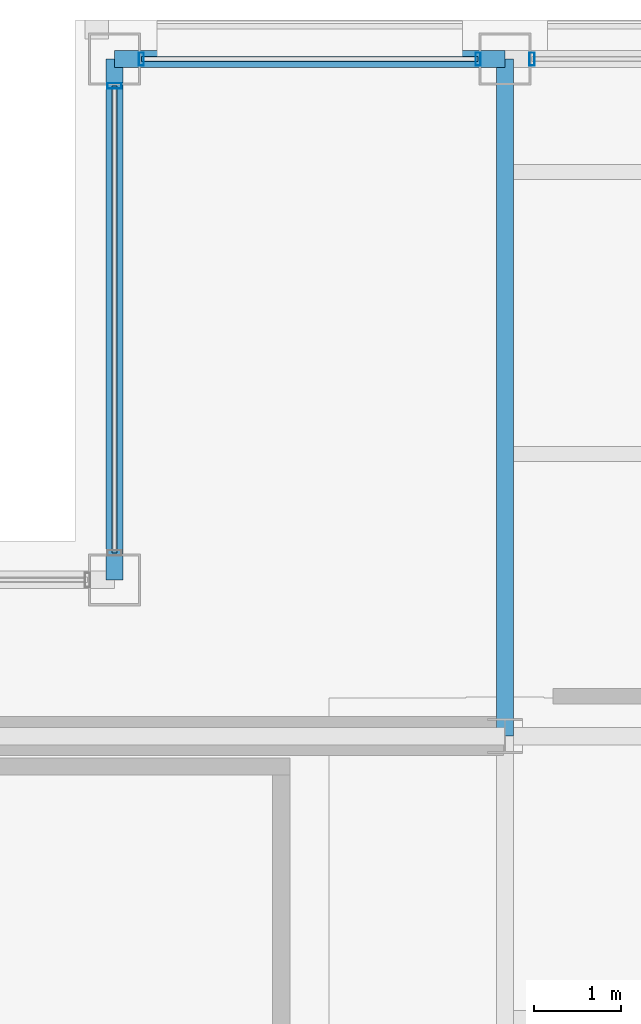
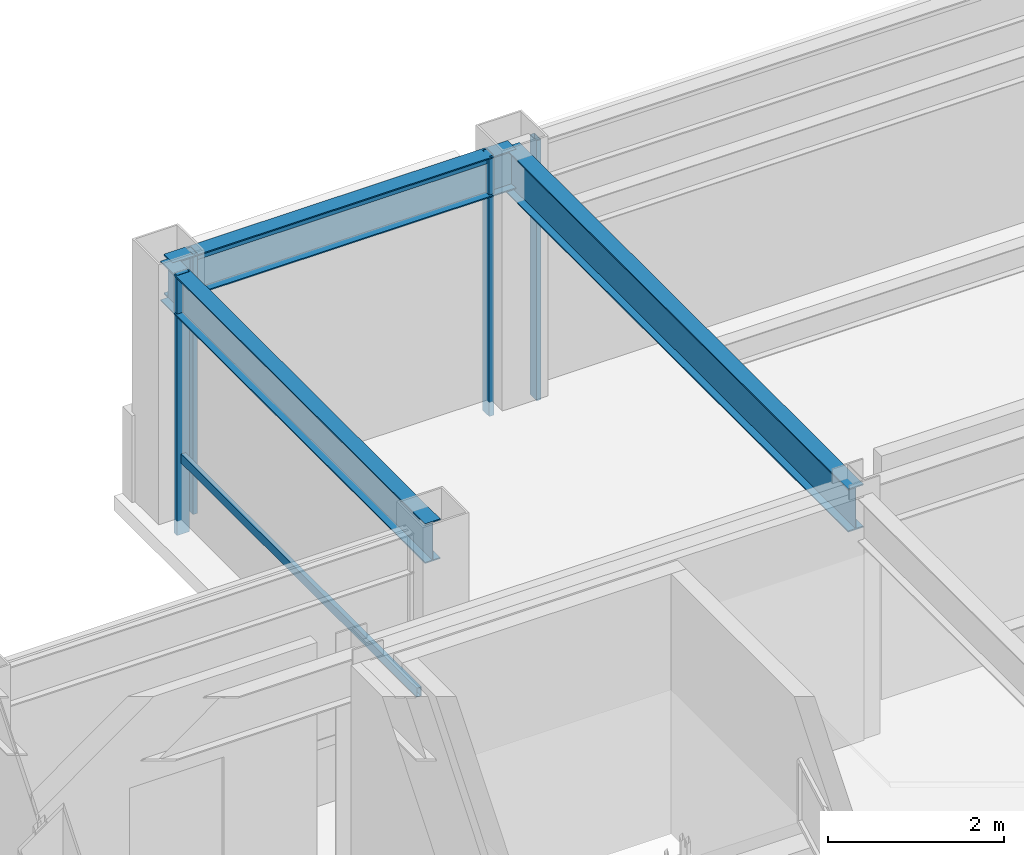
# One storey, part 18 of 27: 6 members, 3 beams, 3 elements without a shape of their own.
"""IFC4 building model written with IfcOpenShell, lengths in metres."""

from ifc_helpers import new_model, si_unit, direction, frame, origin, origin_2d, place, context, subcontext, project, spatial, hollow_rectangle, i_section, extrude, material, layer, layer_set, material_profile, profile_set, type_object, element, aggregate, save


model = new_model("IFC4")

# Units and contexts
model_context = context("Model", 3, precision=1e-05, world=origin(), true_north=direction((0.0, 1.0)))
body_context = subcontext(model_context, "Body", "Model", "MODEL_VIEW")
ifc_project = project(units=[si_unit("LENGTHUNIT", "METRE"), si_unit("AREAUNIT", "SQUARE_METRE"), si_unit("VOLUMEUNIT", "CUBIC_METRE"), si_unit("PLANEANGLEUNIT", "RADIAN"), si_unit("MASSUNIT", "GRAM", prefix="KILO")], contexts=[model_context])

# Site, building, storey
site_placement = place(None, origin())
site = spatial("IfcSite", under=ifc_project, at=site_placement, CompositionType="ELEMENT")
building_placement = place(site_placement, origin())
building = spatial("IfcBuilding", under=site, at=building_placement, Name="Brelmoor Portico Tower", CompositionType="ELEMENT")
storey_placement = place(building_placement, frame((0.0, 0.0, 250.800048828125)))
storey = spatial("IfcBuildingStorey", under=building, at=storey_placement, Name="L66", CompositionType="ELEMENT", Elevation=250.800048828125)

# Beams
ifc_material_1 = material(Name="Steel Q355B", Category="steel")
ifc_material_profile_1 = material_profile(ifc_material_1, i_section(OverallWidth=0.199951171875, OverallDepth=0.60009765625, WebThickness=0.010986328125, FlangeThickness=0.01708984375, at=origin_2d()), Name="HN 600x200x11x17")
ifc_profile_set_1 = profile_set([ifc_material_profile_1], Name="Steel Q355B")
beam_type_1 = type_object("IfcBeamType", Name="BM-PG-600", PredefinedType="BEAM", material=ifc_profile_set_1)
beam_1_placement = place(storey_placement, frame((-8.050048828125, 9.75, 3.099853515625), z_axis=(0.0, 1.0, 0.0), x_axis=(-1.0, 0.0, 0.0)))
element("IfcBeam", 1, at=beam_1_placement, inside=storey, type_object=beam_type_1, Name="L66 Primary Floor Girder PG-05", PredefinedType="BEAM", context=body_context, shape_type="SweptSolid", body=[
    extrude(i_section(OverallWidth=0.199951171875, OverallDepth=0.60009765625, WebThickness=0.010986328125, FlangeThickness=0.01708984375, at=origin_2d()), origin(), (0.0, 0.0, 1.0), 7.800048828125),
])
ifc_material_profile_2 = material_profile(ifc_material_1, i_section(OverallWidth=0.199951171875, OverallDepth=0.550048828125, WebThickness=0.010009765625, FlangeThickness=0.01611328125, at=origin_2d()), Name="HN 550x200x10x16")
ifc_profile_set_2 = profile_set([ifc_material_profile_2], Name="Steel Q355B")
beam_type_2 = type_object("IfcBeamType", Name="BM-SP-550", PredefinedType="SPANDREL", material=ifc_profile_set_2)
beam_2_placement = place(storey_placement, frame((-12.550048828125, 17.550048828125, 3.125), z_axis=(1.0, 0.0, 0.0), x_axis=(0.0, 1.0, 0.0)))
element("IfcBeam", 2, at=beam_2_placement, inside=storey, type_object=beam_type_2, Name="L66 Perimeter Spandrel Beam SP-08", PredefinedType="SPANDREL", context=body_context, shape_type="SweptSolid", body=[
    extrude(i_section(OverallWidth=0.199951171875, OverallDepth=0.550048828125, WebThickness=0.010009765625, FlangeThickness=0.01611328125, at=origin_2d()), origin(), (0.0, 0.0, 1.0), 4.5),
])
beam_3_placement = place(storey_placement, frame((-12.550048828125, 11.550048828125, 3.125), z_axis=(0.0, 1.0, 0.0), x_axis=(-1.0, 0.0, 0.0)))
element("IfcBeam", 3, at=beam_3_placement, inside=storey, type_object=beam_type_2, Name="L66 Perimeter Spandrel Beam SP-15", PredefinedType="SPANDREL", context=body_context, shape_type="SweptSolid", body=[
    extrude(i_section(OverallWidth=0.199951171875, OverallDepth=0.550048828125, WebThickness=0.010009765625, FlangeThickness=0.01611328125, at=origin_2d()), origin(), (0.0, 0.0, 1.0), 6.0),
])

# Curtain wall, members
ifc_material_2 = material(Name="Anodised Aluminium Alloy 6063-T6", Category="aluminium")
ifc_layer_1 = layer(ifc_material_2, 0.179931640625)
ifc_layer_set_1 = layer_set([ifc_layer_1], Name="Anodised Aluminium Alloy 6063-T6")
curtain_wall_type_1 = type_object("IfcCurtainWallType", Name="CW-TOWER-Z4-XB", PredefinedType="NOTDEFINED", material=ifc_layer_set_1)
curtain_wall_1_placement = place(storey_placement, origin())
curtain_wall_1 = element("IfcCurtainWall", 4, at=curtain_wall_1_placement, inside=storey, type_object=curtain_wall_type_1, Name="L66 Curtain Wall CW-L66-02-1", PredefinedType="NOTDEFINED")
ifc_material_profile_3 = material_profile(ifc_material_2, hollow_rectangle(XDim=0.06005859375, YDim=0.14990234375, WallThickness=0.00390625, at=origin_2d()), Name="ALU MULLION 60x150")
ifc_profile_set_3 = profile_set([ifc_material_profile_3], Name="Anodised Aluminium Alloy 6063-T6")
member_type_1 = type_object("IfcMemberType", Name="MB-CW-MULL-150", PredefinedType="MULLION", material=ifc_profile_set_3)
member_1_placement = place(storey_placement, frame((-12.239990234375, 17.550048828125, -0.199951171875), z_axis=(0.0, 0.0, 1.0), x_axis=(1.0, 0.0, 0.0)))
member_1 = element("IfcMember", 5, at=member_1_placement, type_object=member_type_1, Name="CW-L66-02-1 Mullion 00", PredefinedType="MULLION", context=body_context, shape_type="SweptSolid", body=[
    extrude(hollow_rectangle(XDim=0.06005859375, YDim=0.14990234375, WallThickness=0.00390625, at=origin_2d()), origin(), (0.0, 0.0, 1.0), 3.599853515625),
])
member_2_placement = place(storey_placement, frame((-8.360107421875, 17.550048828125, -0.199951171875), z_axis=(0.0, 0.0, 1.0), x_axis=(1.0, 0.0, 0.0)))
member_2 = element("IfcMember", 6, at=member_2_placement, type_object=member_type_1, Name="CW-L66-02-1 Mullion 01", PredefinedType="MULLION", context=body_context, shape_type="SweptSolid", body=[
    extrude(hollow_rectangle(XDim=0.06005859375, YDim=0.14990234375, WallThickness=0.00390625, at=origin_2d()), origin(), (0.0, 0.0, 1.0), 3.599853515625),
])

# Curtain wall, member
curtain_wall_2_placement = place(storey_placement, origin())
curtain_wall_2 = element("IfcCurtainWall", 7, at=curtain_wall_2_placement, inside=storey, type_object=curtain_wall_type_1, Name="L66 Curtain Wall CW-L66-02-2", PredefinedType="NOTDEFINED")
member_3_placement = place(storey_placement, frame((-7.739990234375, 17.550048828125, -0.199951171875), z_axis=(0.0, 0.0, 1.0), x_axis=(1.0, 0.0, 0.0)))
member_3 = element("IfcMember", 8, at=member_3_placement, type_object=member_type_1, Name="CW-L66-02-2 Mullion 00", PredefinedType="MULLION", context=body_context, shape_type="SweptSolid", body=[
    extrude(hollow_rectangle(XDim=0.06005859375, YDim=0.14990234375, WallThickness=0.00390625, at=origin_2d()), origin(), (0.0, 0.0, 1.0), 3.599853515625),
])
aggregate(curtain_wall_2, [member_3])

ifc_layer_2 = layer(ifc_material_2, 0.179931640625)
ifc_layer_set_2 = layer_set([ifc_layer_2], Name="Anodised Aluminium Alloy 6063-T6")
curtain_wall_type_2 = type_object("IfcCurtainWallType", Name="CW-NOTCH-CHAMFER", PredefinedType="NOTDEFINED", material=ifc_layer_set_2)
curtain_wall_3_placement = place(storey_placement, origin())
curtain_wall_3 = element("IfcCurtainWall", 9, at=curtain_wall_3_placement, inside=storey, type_object=curtain_wall_type_2, Name="L66 Curtain Wall CWN-L66-NWV", PredefinedType="NOTDEFINED")
ifc_material_profile_4 = material_profile(ifc_material_2, hollow_rectangle(XDim=0.06494140625, YDim=0.1650390625, WallThickness=0.00390625, at=origin_2d()), Name="ALU MULLION 65x165")
ifc_profile_set_4 = profile_set([ifc_material_profile_4], Name="Anodised Aluminium Alloy 6063-T6")
member_type_2 = type_object("IfcMemberType", Name="MB-CW-MULL-165", PredefinedType="MULLION", material=ifc_profile_set_4)
member_4_placement = place(storey_placement, frame((-12.550048828125, 17.239990234375, -0.199951171875), z_axis=(0.0, 0.0, 1.0), x_axis=(0.0, 1.0, 0.0)))
member_4 = element("IfcMember", 10, at=member_4_placement, type_object=member_type_2, Name="CWN-L66-NWV Mullion 01", PredefinedType="MULLION", context=body_context, shape_type="SweptSolid", body=[
    extrude(hollow_rectangle(XDim=0.06494140625, YDim=0.1650390625, WallThickness=0.00390625, at=origin_2d()), origin(), (0.0, 0.0, 1.0), 3.599853515625),
])

# Member
ifc_material_profile_5 = material_profile(ifc_material_2, hollow_rectangle(XDim=0.06005859375, YDim=0.125, WallThickness=0.00341796875, at=origin_2d()), Name="ALU TRANSOM 60x125")
ifc_profile_set_5 = profile_set([ifc_material_profile_5], Name="Anodised Aluminium Alloy 6063-T6")
member_type_3 = type_object("IfcMemberType", Name="MB-CW-TRAN-125", PredefinedType="USERDEFINED", material=ifc_profile_set_5)
member_5_placement = place(storey_placement, frame((-12.239990234375, 17.550048828125, 3.33740234375), z_axis=(1.0, 0.0, 0.0), x_axis=(0.0, 1.0, 0.0)))
member_5 = element("IfcMember", 11, at=member_5_placement, type_object=member_type_3, Name="CW-L66-02-1 Transom 1-00", ObjectType="TRANSOM", PredefinedType="USERDEFINED", context=body_context, shape_type="SweptSolid", body=[
    extrude(hollow_rectangle(XDim=0.06005859375, YDim=0.125, WallThickness=0.00341796875, at=origin_2d()), origin(), (0.0, 0.0, 1.0), 3.8798828125),
])

aggregate(curtain_wall_1, [member_1, member_2, member_5])

member_6_placement = place(storey_placement, frame((-12.550048828125, 11.860107421875, 0.849853515625), z_axis=(0.0, 1.0, 0.0), x_axis=(-1.0, 0.0, 0.0)))
member_6 = element("IfcMember", 12, at=member_6_placement, type_object=member_type_3, Name="CWN-L66-NWV Transom 1-00", ObjectType="TRANSOM", PredefinedType="USERDEFINED", context=body_context, shape_type="SweptSolid", body=[
    extrude(hollow_rectangle(XDim=0.06005859375, YDim=0.125, WallThickness=0.00341796875, at=origin_2d()), origin(), (0.0, 0.0, 1.0), 5.3798828125),
])

aggregate(curtain_wall_3, [member_4, member_6])

save(model, "model.ifc")
